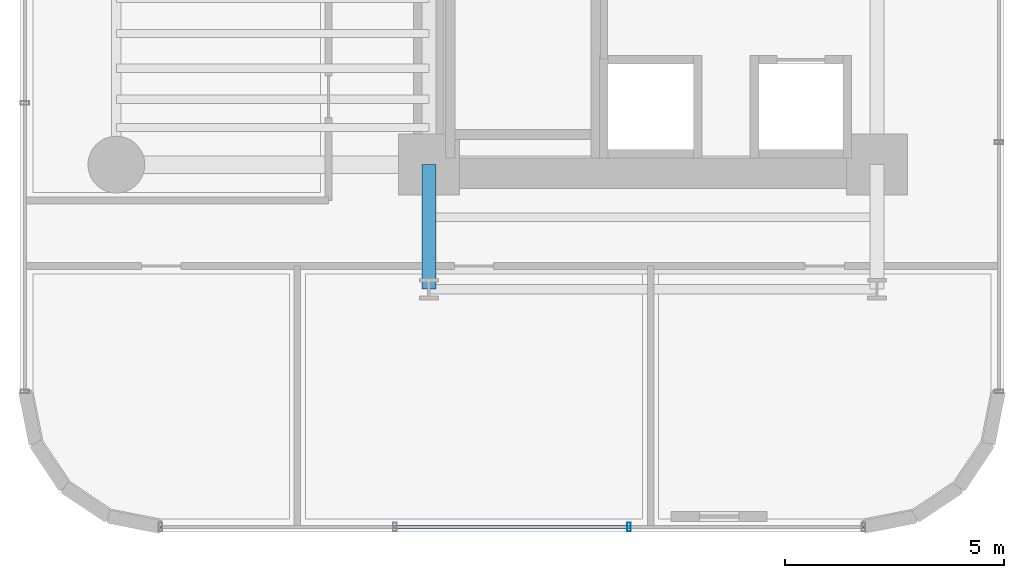
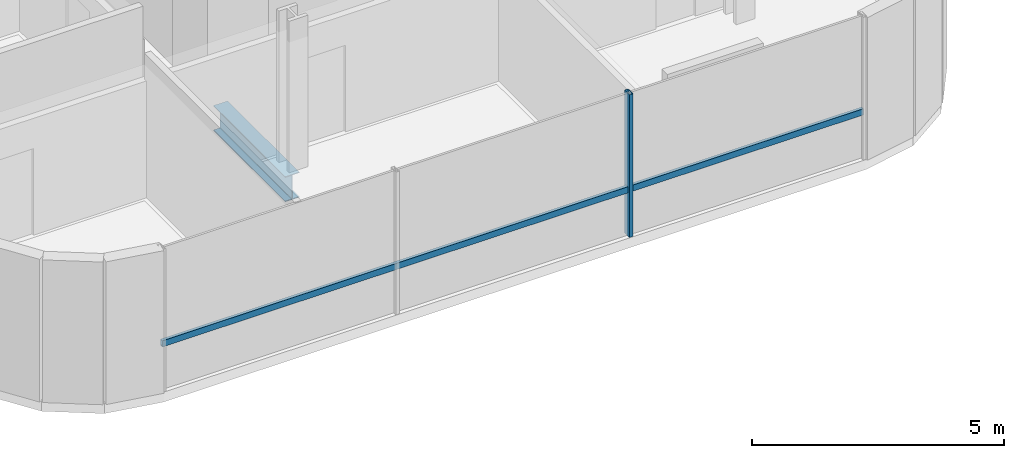
# One storey, part 3 of 41: 2 members, 1 beam, 1 element without a shape of its own.
"""IFC4 building model written with IfcOpenShell, lengths in metres."""

from ifc_helpers import new_model, si_unit, direction, frame, origin, origin_2d, place, context, subcontext, project, spatial, hollow_rectangle, i_section, extrude, source, transform, mapped, material, material_profile, profile_set, type_object, element, aggregate, save


model = new_model("IFC4")

# Units and contexts
model_context = context("Model", 3, precision=1e-05, world=origin(), true_north=direction((0.0, 1.0)))
body_context = subcontext(model_context, "Body", "Model", "MODEL_VIEW")
ifc_project = project(units=[si_unit("LENGTHUNIT", "METRE"), si_unit("AREAUNIT", "SQUARE_METRE"), si_unit("VOLUMEUNIT", "CUBIC_METRE"), si_unit("PLANEANGLEUNIT", "RADIAN"), si_unit("MASSUNIT", "GRAM", prefix="KILO")], contexts=[model_context])

# Site, building, storey
site_placement = place(None, origin())
site = spatial("IfcSite", under=ifc_project, at=site_placement, CompositionType="ELEMENT")
building_placement = place(site_placement, origin())
building = spatial("IfcBuilding", under=site, at=building_placement, Name="Valdorenza Pilgrim Sanctuary Tower", CompositionType="ELEMENT")
storey_placement = place(building_placement, frame((0.0, 0.0, 85.199951171875)))
storey = spatial("IfcBuildingStorey", under=building, at=storey_placement, Name="L21", CompositionType="ELEMENT", Elevation=85.199951171875)

# Beam
ifc_material_1 = material(Name="Steel ASTM A992 Grade 50", Category="steel")
ifc_material_profile_1 = material_profile(ifc_material_1, i_section(OverallWidth=0.323974609375, OverallDepth=0.611083984375, WebThickness=0.0126953125, FlangeThickness=0.01904296875, at=origin_2d()), Name="W24X104")
ifc_profile_set_1 = profile_set([ifc_material_profile_1], Name="Steel ASTM A992 Grade 50")
beam_type = type_object("IfcBeamType", Name="STR-BM-GRD-W24B", PredefinedType="BEAM", material=ifc_profile_set_1)
shared_shape_1 = source(origin(), body_context, "Body", "SweptSolid", [
    extrude(i_section(OverallWidth=0.323974609375, OverallDepth=0.611083984375, WebThickness=0.0126953125, FlangeThickness=0.01904296875, at=origin_2d()), origin(), (0.0, 0.0, 1.0), 2.849853515625),
])
beam_placement = place(storey_placement, frame((-22.64990234375, -13.449951171875, -0.54541015625), z_axis=(0.0, 1.0, 0.0), x_axis=(-1.0, 0.0, 0.0)))
element("IfcBeam", 1, at=beam_placement, inside=storey, type_object=beam_type, Name="L21 Floor Girder WA-S-LW", PredefinedType="BEAM", context=body_context, shape_type="MappedRepresentation", body=[
    mapped(shared_shape_1, transform((0.0, 0.0, 0.0), x_axis=(1.0, 0.0, 0.0), y_axis=(0.0, 1.0, 0.0), z_axis=(0.0, 0.0, 1.0), scale=1.0)),
])

# Curtain wall, members
ifc_material_2 = material(Name="Curtain-wall IGU glazing", Category="glass")
curtain_wall_type = type_object("IfcCurtainWallType", Name="CW-SYS-02", PredefinedType="NOTDEFINED", material=ifc_material_2)
curtain_wall_placement = place(storey_placement, origin())
curtain_wall = element("IfcCurtainWall", 2, at=curtain_wall_placement, inside=storey, type_object=curtain_wall_type, Name="L21 Curtain Wall CW-L21-1-46", PredefinedType="NOTDEFINED")
ifc_material_3 = material(Name="Anodised aluminium AW-6060", Category="aluminium")
ifc_material_profile_2 = material_profile(ifc_material_3, hollow_rectangle(XDim=0.0849609375, YDim=0.199951171875, WallThickness=0.0048828125, at=origin_2d()), Name="ALU-M 200x85x5")
ifc_profile_set_2 = profile_set([ifc_material_profile_2], Name="Anodised aluminium AW-6060")
member_type_1 = type_object("IfcMemberType", Name="CW-MUL-02", PredefinedType="MULLION", material=ifc_profile_set_2)
shared_shape_2 = source(origin(), body_context, "Body", "SweptSolid", [
    extrude(hollow_rectangle(XDim=0.0849609375, YDim=0.199951171875, WallThickness=0.0048828125, at=origin_2d()), origin(), (0.0, 0.0, 1.0), 3.4599609375),
])
member_1_placement = place(storey_placement, frame((-18.0703125, -18.889892578125, 0.0), z_axis=(0.0, 0.0, 1.0), x_axis=(-1.0, 0.0, 0.0)))
member_1 = element("IfcMember", 3, at=member_1_placement, type_object=member_type_1, Name="CW-L21-1-46 Mullion 2", PredefinedType="MULLION", context=body_context, shape_type="MappedRepresentation", body=[
    mapped(shared_shape_2, transform((0.0, 0.0, 0.0), x_axis=(1.0, 0.0, 0.0), y_axis=(0.0, 1.0, 0.0), z_axis=(0.0, 0.0, 1.0), scale=1.0)),
])
ifc_material_profile_3 = material_profile(ifc_material_3, hollow_rectangle(XDim=0.074951171875, YDim=0.14990234375, WallThickness=0.00390625, at=origin_2d()), Name="ALU-T 150x75x4")
ifc_profile_set_3 = profile_set([ifc_material_profile_3], Name="Anodised aluminium AW-6060")
member_type_2 = type_object("IfcMemberType", Name="CW-TRN-02", PredefinedType="USERDEFINED", material=ifc_profile_set_3)
shared_shape_3 = source(origin(), body_context, "Body", "SweptSolid", [
    extrude(hollow_rectangle(XDim=0.074951171875, YDim=0.14990234375, WallThickness=0.00390625, at=origin_2d()), origin(), (0.0, 0.0, 1.0), 16.07861328125),
])
member_2_placement = place(storey_placement, frame((-12.710693359375, -18.889892578125, 1.1201171875), z_axis=(-1.0, 0.0, 0.0), x_axis=(0.0, -1.0, 0.0)))
member_2 = element("IfcMember", 4, at=member_2_placement, type_object=member_type_2, Name="CW-L21-1-46 Transom 1", ObjectType="TRANSOM", PredefinedType="USERDEFINED", context=body_context, shape_type="MappedRepresentation", body=[
    mapped(shared_shape_3, transform((0.0, 0.0, 0.0), x_axis=(1.0, 0.0, 0.0), y_axis=(0.0, 1.0, 0.0), z_axis=(0.0, 0.0, 1.0), scale=1.0)),
])
aggregate(curtain_wall, [member_1, member_2])

save(model, "model.ifc")
